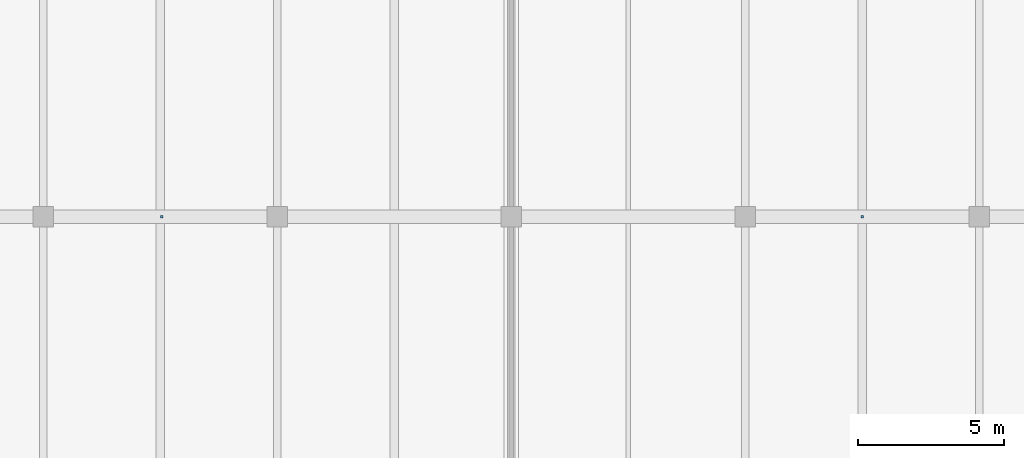
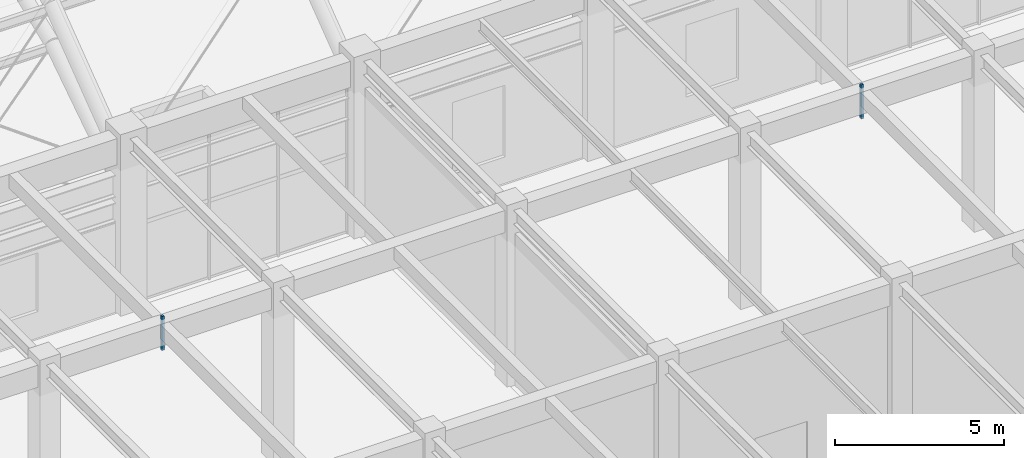
# One storey, part 143 of 163: 2 discrete accessories.
"""IFC4 building model written with IfcOpenShell, lengths in metres."""

from ifc_helpers import new_model, si_unit, direction, frame, origin, origin_2d, place, context, subcontext, project, spatial, rectangle, extrude, material, layer, layer_set, type_object, element, save


model = new_model("IFC4")

# Units and contexts
model_context = context("Model", 3, precision=1e-05, world=origin(), true_north=direction((0.0, 1.0)))
body_context = subcontext(model_context, "Body", "Model", "MODEL_VIEW")
ifc_project = project(units=[si_unit("LENGTHUNIT", "METRE"), si_unit("AREAUNIT", "SQUARE_METRE"), si_unit("VOLUMEUNIT", "CUBIC_METRE"), si_unit("PLANEANGLEUNIT", "RADIAN"), si_unit("MASSUNIT", "GRAM", prefix="KILO")], contexts=[model_context])

# Site, building, storey
site_placement = place(None, origin())
site = spatial("IfcSite", under=ifc_project, at=site_placement, CompositionType="ELEMENT")
building_placement = place(site_placement, origin())
building = spatial("IfcBuilding", under=site, at=building_placement, Name="Varnabhumi Central Station", CompositionType="ELEMENT")
storey_placement = place(building_placement, frame((0.0, 0.0, 9.60009765625)))
storey = spatial("IfcBuildingStorey", under=building, at=storey_placement, Name="L02", CompositionType="ELEMENT", Elevation=9.60009765625)

# Discrete accessories
ifc_material = material(Name="Structural steel E350", Category="steel")
ifc_layer = layer(ifc_material, 0.159912109375, Name="Structural steel E350", Category="steel")
ifc_layer_set = layer_set([ifc_layer], Name="Structural steel E350")
discrete_accessory_type = type_object("IfcDiscreteAccessoryType", Name="ACC-SHADE-BRKT", PredefinedType="BRACKET", material=ifc_layer_set)
for number, where, z_axis, x_axis, name in (
    (1, (76.050048828125, 27.0, 5.239990234375), (0.0, 0.0, 1.0), (1.0, 0.0, 0.0), "South General Waiting Hall Ceiling Hanger"),
    (2, (100.0, 27.0, 5.239990234375), (0.0, 0.0, 1.0), (1.0, 0.0, 0.0), "Family Waiting Hall Ceiling Hanger"),
):
    element("IfcDiscreteAccessory", number, at=place(storey_placement, frame(where, z_axis=z_axis, x_axis=x_axis)), inside=storey, type_object=discrete_accessory_type, Name=name, PredefinedType="BRACKET", context=body_context, shape_type="SweptSolid", body=[
        extrude(rectangle(XDim=0.080078125, YDim=0.080078125, at=origin_2d()), origin(), (0.0, 0.0, 1.0), 1.22998046875),
    ])

save(model, "model.ifc")
